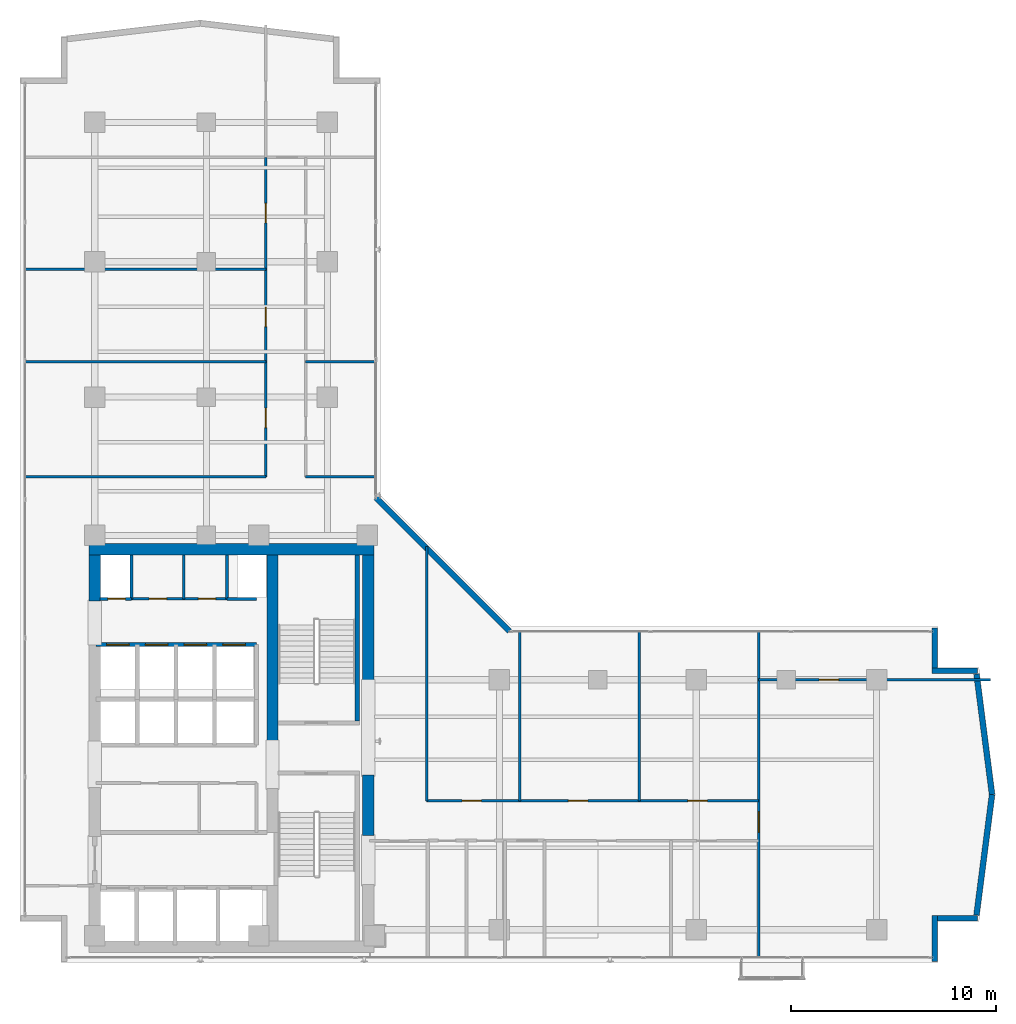
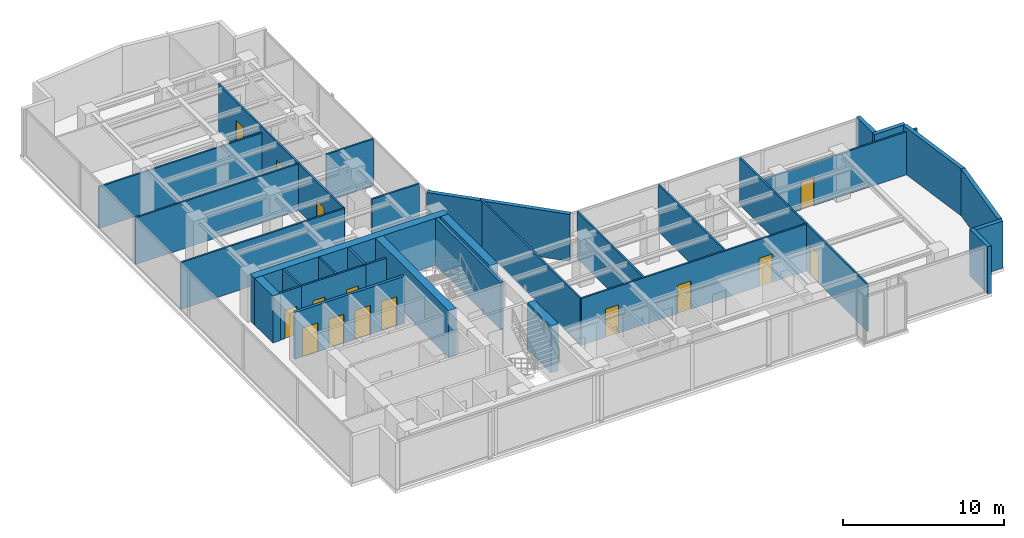
# One storey, part 17 of 23: 32 walls, 15 doors, 15 openings.
"""IFC4 building model written with IfcOpenShell, lengths in metres."""

from ifc_helpers import new_model, si_unit, direction, frame, frame_2d, origin, place, context, subcontext, project, spatial, rectangle, extrude, material, layer, layer_set, type_object, element, fill, save


model = new_model("IFC4")

# Units and contexts
model_context = context("Model", 3, precision=1e-05, world=origin(), true_north=direction((0.0, 1.0)))
body_context = subcontext(model_context, "Body", "Model", "MODEL_VIEW")
ifc_project = project(units=[si_unit("LENGTHUNIT", "METRE"), si_unit("AREAUNIT", "SQUARE_METRE"), si_unit("VOLUMEUNIT", "CUBIC_METRE"), si_unit("PLANEANGLEUNIT", "RADIAN"), si_unit("MASSUNIT", "GRAM", prefix="KILO")], contexts=[model_context])

# Site, building, storey
site_placement = place(None, origin())
site = spatial("IfcSite", under=ifc_project, at=site_placement, CompositionType="ELEMENT")
building_placement = place(site_placement, origin())
building = spatial("IfcBuilding", under=site, at=building_placement, Name="Kolvaren Waterfront Exchange", CompositionType="ELEMENT")
storey_placement = place(building_placement, frame((0.0, 0.0, 227.300048828125)))
storey = spatial("IfcBuildingStorey", under=building, at=storey_placement, Name="L58", CompositionType="ELEMENT", Elevation=227.300048828125)

# Walls
ifc_material_1 = material(Name="Precast concrete C40/50", Category="concrete")
ifc_layer_1 = layer(ifc_material_1, 0.280029296875, Name="Precast concrete C40/50")
ifc_layer_set_1 = layer_set([ifc_layer_1], Name="Precast concrete C40/50")
wall_type_1 = type_object("IfcWallType", Name="ARC-EXT-TERR-280", PredefinedType="SOLIDWALL", material=ifc_layer_set_1)
wall_1_placement = place(storey_placement, frame((48.43994140625, 3.659912109375, 0.0), z_axis=(0.0, 0.0, 1.0), x_axis=(0.0, 1.0, 0.0)))
element("IfcWall", 1, at=wall_1_placement, inside=storey, type_object=wall_type_1, Name="L58 notched corner spandrel pier SE-A", PredefinedType="SOLIDWALL", context=body_context, shape_type="SweptSolid", body=[
    extrude(rectangle(XDim=2.239990234375, YDim=0.280029296875, at=frame_2d((1.1201171875, 0.0))), origin(), (0.0, 0.0, 1.0), 3.56005859375),
])
wall_2_placement = place(storey_placement, frame((48.580078125, 5.760009765625, 0.0), z_axis=(0.0, 0.0, 1.0), x_axis=(1.0, 0.0, 0.0)))
element("IfcWall", 2, at=wall_2_placement, inside=storey, type_object=wall_type_1, Name="L58 notched corner spandrel pier SE-B", PredefinedType="SOLIDWALL", context=body_context, shape_type="SweptSolid", body=[
    extrude(rectangle(XDim=1.9599609375, YDim=0.280029296875, at=frame_2d((0.97998046875, 0.0))), origin(), (0.0, 0.0, 1.0), 3.56005859375),
])
wall_3_placement = place(storey_placement, frame((48.43994140625, 17.965087890625, 0.0), z_axis=(0.0, 0.0, 1.0), x_axis=(0.0, 1.0, 0.0)))
element("IfcWall", 3, at=wall_3_placement, inside=storey, type_object=wall_type_1, Name="L58 notched corner spandrel pier ENE-A", PredefinedType="SOLIDWALL", context=body_context, shape_type="SweptSolid", body=[
    extrude(rectangle(XDim=1.974853515625, YDim=0.280029296875, at=frame_2d((0.9873046875, 0.0))), origin(), (0.0, 0.0, 1.0), 3.56005859375),
])
wall_4_placement = place(storey_placement, frame((48.300048828125, 17.840087890625, 0.0), z_axis=(0.0, 0.0, 1.0), x_axis=(1.0, 0.0, 0.0)))
element("IfcWall", 4, at=wall_4_placement, inside=storey, type_object=wall_type_1, Name="L58 notched corner spandrel pier ENE-B", PredefinedType="SOLIDWALL", context=body_context, shape_type="SweptSolid", body=[
    extrude(rectangle(XDim=2.239990234375, YDim=0.280029296875, at=frame_2d((1.1201171875, 0.0))), origin(), (0.0, 0.0, 1.0), 3.56005859375),
])
wall_5_placement = place(storey_placement, frame((27.68505859375, 19.77490234375, 0.0), z_axis=(0.0, 0.0, 1.0), x_axis=(-0.707106781187, 0.707106781187, 0.0)))
element("IfcWall", 5, at=wall_5_placement, inside=storey, type_object=wall_type_1, Name="L58 notched corner spandrel pier ELBOW", PredefinedType="SOLIDWALL", context=body_context, shape_type="SweptSolid", body=[
    extrude(rectangle(XDim=9.20654296875, YDim=0.280029296875, at=frame_2d((4.603271484375, 0.0))), origin(), (0.0, 0.0, 1.0), 3.56005859375),
])
for number, where, z_axis, x_axis, name in (
    (6, (50.479736328125, 5.91796875, 0.0), (0.0, 0.0, 1.0), (0.127970031595, 0.991778035154, 0.0), "L58 east prow faceted facade wall 1"),
    (7, (51.23876953125, 11.79931640625, 0.0), (0.0, 0.0, 1.0), (-0.127970031595, 0.991778035154, 0.0), "L58 east prow faceted facade wall 2"),
):
    element("IfcWall", number, at=place(storey_placement, frame(where, z_axis=z_axis, x_axis=x_axis)), inside=storey, type_object=wall_type_1, Name=name, PredefinedType="SOLIDWALL", context=body_context, shape_type="SweptSolid", body=[
        extrude(rectangle(XDim=5.931396484375, YDim=0.280029296875, at=frame_2d((2.9658203125, 0.0))), origin(), (0.0, 0.0, 1.0), 3.56005859375),
    ])

# Wall, openings, doors
ifc_material_2 = material(Name="Acoustic gypsum steel stud", Category="steel")
ifc_layer_2 = layer(ifc_material_2, 0.125, Name="Acoustic gypsum steel stud")
ifc_layer_set_2 = layer_set([ifc_layer_2], Name="Acoustic gypsum steel stud")
wall_type_2 = type_object("IfcWallType", Name="ARC-PART-125", PredefinedType="PARTITIONING", material=ifc_layer_set_2)
wall_6_placement = place(storey_placement, frame((9.25, 21.35009765625, 0.0), z_axis=(0.0, 0.0, 1.0), x_axis=(1.0, 0.0, 0.0)))
wall_6 = element("IfcWall", 8, at=wall_6_placement, inside=storey, type_object=wall_type_2, Name="L58 interior wall PW-L58-SVC-HI-S", PredefinedType="PARTITIONING", context=body_context, shape_type="SweptSolid", body=[
    extrude(rectangle(XDim=4.64990234375, YDim=0.125, at=frame_2d((2.324951171875, 0.0))), origin(), (0.0, 0.0, 1.0), 3.56005859375),
])
opening_1_placement = place(wall_6_placement, frame((0.85009765625, 0.0, 0.0)))
opening_1 = element("IfcOpeningElement", 9, at=opening_1_placement, cuts=wall_6, Name="Opening D01", PredefinedType="OPENING", context=body_context, shape_type="SweptSolid", body=[
    extrude(rectangle(XDim=0.85009765625, YDim=2.14990234375, at=frame_2d((0.425048828125, 1.074951171875))), frame((0.0, 0.072509765625, 0.0), z_axis=(0.0, -1.0, 0.0), x_axis=(1.0, 0.0, 0.0)), (0.0, 0.0, 1.0), 0.14501953125),
])
opening_2_placement = place(wall_6_placement, frame((3.25, 0.0, 0.0)))
opening_2 = element("IfcOpeningElement", 10, at=opening_2_placement, cuts=wall_6, Name="Opening D01", PredefinedType="OPENING", context=body_context, shape_type="SweptSolid", body=[
    extrude(rectangle(XDim=0.85009765625, YDim=2.14990234375, at=frame_2d((0.425048828125, 1.074951171875))), frame((0.0, 0.072509765625, 0.0), z_axis=(0.0, -1.0, 0.0), x_axis=(1.0, 0.0, 0.0)), (0.0, 0.0, 1.0), 0.14501953125),
])
ifc_material_3 = material(Name="Oak veneer timber leaf", Category="wood")
door_type_1 = type_object("IfcDoorType", Name="ARC-DR-900", OperationType="NOTDEFINED", PredefinedType="DOOR", material=ifc_material_3)
door_1_placement = place(opening_1_placement, origin())
door_1 = element("IfcDoor", 11, at=door_1_placement, inside=storey, type_object=door_type_1, Name="L58 door DR-L58-SVC-DR-1 (D01)", OperationType="SINGLE_SWING_RIGHT", OverallHeight=2.14990234375, OverallWidth=0.85009765625, PredefinedType="DOOR", context=body_context, shape_type="SweptSolid", body=[
    extrude(rectangle(XDim=0.85009765625, YDim=2.14990234375, at=frame_2d((0.425048828125, 1.074951171875))), frame((0.0, 0.02490234375, 0.0), z_axis=(0.0, -1.0, 0.0), x_axis=(1.0, 0.0, 0.0)), (0.0, 0.0, 1.0), 0.050048828125),
])
fill(opening_1, door_1)
door_2_placement = place(opening_2_placement, origin())
door_2 = element("IfcDoor", 12, at=door_2_placement, inside=storey, type_object=door_type_1, Name="L58 door DR-L58-SVC-DR-2 (D01)", OperationType="SINGLE_SWING_LEFT", OverallHeight=2.14990234375, OverallWidth=0.85009765625, PredefinedType="DOOR", context=body_context, shape_type="SweptSolid", body=[
    extrude(rectangle(XDim=0.85009765625, YDim=2.14990234375, at=frame_2d((0.425048828125, 1.074951171875))), frame((0.0, 0.02490234375, 0.0), z_axis=(0.0, -1.0, 0.0), x_axis=(1.0, 0.0, 0.0)), (0.0, 0.0, 1.0), 0.050048828125),
])
fill(opening_2, door_2)

# Wall
wall_7_placement = place(storey_placement, frame((11.800048828125, 21.35009765625, 0.0), z_axis=(0.0, 0.0, 1.0), x_axis=(0.0, 1.0, 0.0)))
element("IfcWall", 13, at=wall_7_placement, inside=storey, type_object=wall_type_2, Name="L58 interior wall PW-L58-SVC-HI-M", PredefinedType="PARTITIONING", context=body_context, shape_type="SweptSolid", body=[
    extrude(rectangle(XDim=2.1298828125, YDim=0.125, at=frame_2d((1.06494140625, 0.0))), origin(), (0.0, 0.0, 1.0), 3.56005859375),
])

# Wall, opening, door
wall_8_placement = place(storey_placement, frame((39.85009765625, 3.840087890625, 0.0), z_axis=(0.0, 0.0, 1.0), x_axis=(0.0, 1.0, 0.0)))
wall_8 = element("IfcWall", 14, at=wall_8_placement, inside=storey, type_object=wall_type_2, Name="L58 interior wall PW-L58-ETIP-W", PredefinedType="PARTITIONING", context=body_context, shape_type="SweptSolid", body=[
    extrude(rectangle(XDim=15.919921875, YDim=0.125, at=frame_2d((7.9599609375, 0.0))), origin(), (0.0, 0.0, 1.0), 3.56005859375),
])
opening_3_placement = place(wall_8_placement, frame((6.110107421875, 0.0, 0.0)))
opening_3 = element("IfcOpeningElement", 15, at=opening_3_placement, cuts=wall_8, Name="Opening D03", PredefinedType="OPENING", context=body_context, shape_type="SweptSolid", body=[
    extrude(rectangle(XDim=1.0, YDim=2.199951171875, at=frame_2d((0.5, 1.10009765625))), frame((0.0, 0.072509765625, 0.0), z_axis=(0.0, -1.0, 0.0), x_axis=(1.0, 0.0, 0.0)), (0.0, 0.0, 1.0), 0.14501953125),
])
ifc_material_4 = material(Name="Oak veneer accessible timber", Category="wood")
door_type_2 = type_object("IfcDoorType", Name="ARC-DR-1000", OperationType="NOTDEFINED", PredefinedType="DOOR", material=ifc_material_4)
door_3_placement = place(opening_3_placement, origin())
door_3 = element("IfcDoor", 16, at=door_3_placement, inside=storey, type_object=door_type_2, Name="L58 door DR-L58-ETIP1-D (D03)", OperationType="SINGLE_SWING_LEFT", OverallHeight=2.199951171875, OverallWidth=1.0, PredefinedType="DOOR", context=body_context, shape_type="SweptSolid", body=[
    extrude(rectangle(XDim=1.0, YDim=2.199951171875, at=frame_2d((0.5, 1.10009765625))), frame((0.0, 0.02490234375, 0.0), z_axis=(0.0, -1.0, 0.0), x_axis=(1.0, 0.0, 0.0)), (0.0, 0.0, 1.0), 0.050048828125),
])
fill(opening_3, door_3)

wall_9_placement = place(storey_placement, frame((39.85009765625, 17.39990234375, 0.0), z_axis=(0.0, 0.0, 1.0), x_axis=(1.0, 0.0, 0.0)))
wall_9 = element("IfcWall", 17, at=wall_9_placement, inside=storey, type_object=wall_type_2, Name="L58 interior wall PW-L58-ETIP-MID", PredefinedType="PARTITIONING", context=body_context, shape_type="SweptSolid", body=[
    extrude(rectangle(XDim=11.309814453125, YDim=0.125, at=frame_2d((5.65478515625, 0.0))), origin(), (0.0, 0.0, 1.0), 3.260009765625),
])
opening_4_placement = place(wall_9_placement, frame((2.949951171875, 0.0, 0.0)))
opening_4 = element("IfcOpeningElement", 18, at=opening_4_placement, cuts=wall_9, Name="Opening D02", PredefinedType="OPENING", context=body_context, shape_type="SweptSolid", body=[
    extrude(rectangle(XDim=0.949951171875, YDim=2.14990234375, at=frame_2d((0.47509765625, 1.074951171875))), frame((0.0, 0.072509765625, 0.0), z_axis=(0.0, -1.0, 0.0), x_axis=(1.0, 0.0, 0.0)), (0.0, 0.0, 1.0), 0.14501953125),
])
ifc_material_5 = material(Name="Oak veneer acoustic timber", Category="wood")
door_type_3 = type_object("IfcDoorType", Name="ARC-DR-950", OperationType="NOTDEFINED", PredefinedType="DOOR", material=ifc_material_5)
door_4_placement = place(opening_4_placement, origin())
door_4 = element("IfcDoor", 19, at=door_4_placement, inside=storey, type_object=door_type_3, Name="L58 door DR-L58-ETIP2-D (D02)", OperationType="SINGLE_SWING_RIGHT", OverallHeight=2.14990234375, OverallWidth=0.949951171875, PredefinedType="DOOR", context=body_context, shape_type="SweptSolid", body=[
    extrude(rectangle(XDim=0.949951171875, YDim=2.14990234375, at=frame_2d((0.47509765625, 1.074951171875))), frame((0.0, 0.02490234375, 0.0), z_axis=(0.0, -1.0, 0.0), x_axis=(1.0, 0.0, 0.0)), (0.0, 0.0, 1.0), 0.050048828125),
])
fill(opening_4, door_4)

# Wall
wall_10_placement = place(storey_placement, frame((23.64990234375, 11.489990234375, 0.0), z_axis=(0.0, 0.0, 1.0), x_axis=(0.0, 1.0, 0.0)))
element("IfcWall", 20, at=wall_10_placement, inside=storey, type_object=wall_type_2, Name="L58 interior wall PW-L58-EN-W0", PredefinedType="PARTITIONING", context=body_context, shape_type="SweptSolid", body=[
    extrude(rectangle(XDim=12.419921875, YDim=0.125, at=frame_2d((6.2099609375, 0.0))), origin(), (0.0, 0.0, 1.0), 3.56005859375),
])

# Wall, openings, doors
wall_11_placement = place(storey_placement, frame((23.64990234375, 11.489990234375, 0.0), z_axis=(0.0, 0.0, 1.0), x_axis=(1.0, 0.0, 0.0)))
wall_11 = element("IfcWall", 21, at=wall_11_placement, inside=storey, type_object=wall_type_2, Name="L58 interior wall PW-L58-EN-CORR", PredefinedType="PARTITIONING", context=body_context, shape_type="SweptSolid", body=[
    extrude(rectangle(XDim=16.2001953125, YDim=0.125, at=frame_2d((8.10009765625, 0.0))), origin(), (0.0, 0.0, 1.0), 3.56005859375),
])
opening_5_placement = place(wall_11_placement, frame((1.7216796875, 0.0, 0.0)))
opening_5 = element("IfcOpeningElement", 22, at=opening_5_placement, cuts=wall_11, Name="Opening D02", PredefinedType="OPENING", context=body_context, shape_type="SweptSolid", body=[
    extrude(rectangle(XDim=0.949951171875, YDim=2.14990234375, at=frame_2d((0.47509765625, 1.074951171875))), frame((0.0, 0.072509765625, 0.0), z_axis=(0.0, -1.0, 0.0), x_axis=(1.0, 0.0, 0.0)), (0.0, 0.0, 1.0), 0.14501953125),
])
opening_6_placement = place(wall_11_placement, frame((6.90966796875, 0.0, 0.0)))
opening_6 = element("IfcOpeningElement", 23, at=opening_6_placement, cuts=wall_11, Name="Opening D02", PredefinedType="OPENING", context=body_context, shape_type="SweptSolid", body=[
    extrude(rectangle(XDim=0.949951171875, YDim=2.14990234375, at=frame_2d((0.47509765625, 1.074951171875))), frame((0.0, 0.072509765625, 0.0), z_axis=(0.0, -1.0, 0.0), x_axis=(1.0, 0.0, 0.0)), (0.0, 0.0, 1.0), 0.14501953125),
])
opening_7_placement = place(wall_11_placement, frame((12.73974609375, 0.0, 0.0)))
opening_7 = element("IfcOpeningElement", 24, at=opening_7_placement, cuts=wall_11, Name="Opening D02", PredefinedType="OPENING", context=body_context, shape_type="SweptSolid", body=[
    extrude(rectangle(XDim=0.949951171875, YDim=2.14990234375, at=frame_2d((0.47509765625, 1.074951171875))), frame((0.0, 0.072509765625, 0.0), z_axis=(0.0, -1.0, 0.0), x_axis=(1.0, 0.0, 0.0)), (0.0, 0.0, 1.0), 0.14501953125),
])
door_5_placement = place(opening_5_placement, origin())
door_5 = element("IfcDoor", 25, at=door_5_placement, inside=storey, type_object=door_type_3, Name="L58 door DR-L58-EN-D-1 (D02)", OperationType="SINGLE_SWING_LEFT", OverallHeight=2.14990234375, OverallWidth=0.949951171875, PredefinedType="DOOR", context=body_context, shape_type="SweptSolid", body=[
    extrude(rectangle(XDim=0.949951171875, YDim=2.14990234375, at=frame_2d((0.47509765625, 1.074951171875))), frame((0.0, 0.02490234375, 0.0), z_axis=(0.0, -1.0, 0.0), x_axis=(1.0, 0.0, 0.0)), (0.0, 0.0, 1.0), 0.050048828125),
])
fill(opening_5, door_5)
door_6_placement = place(opening_6_placement, origin())
door_6 = element("IfcDoor", 26, at=door_6_placement, inside=storey, type_object=door_type_3, Name="L58 door DR-L58-EN-D-2 (D02)", OperationType="SINGLE_SWING_RIGHT", OverallHeight=2.14990234375, OverallWidth=0.949951171875, PredefinedType="DOOR", context=body_context, shape_type="SweptSolid", body=[
    extrude(rectangle(XDim=0.949951171875, YDim=2.14990234375, at=frame_2d((0.47509765625, 1.074951171875))), frame((0.0, 0.02490234375, 0.0), z_axis=(0.0, -1.0, 0.0), x_axis=(1.0, 0.0, 0.0)), (0.0, 0.0, 1.0), 0.050048828125),
])
fill(opening_6, door_6)
door_7_placement = place(opening_7_placement, origin())
door_7 = element("IfcDoor", 27, at=door_7_placement, inside=storey, type_object=door_type_3, Name="L58 door DR-L58-EN-D-3 (D02)", OperationType="SINGLE_SWING_LEFT", OverallHeight=2.14990234375, OverallWidth=0.949951171875, PredefinedType="DOOR", context=body_context, shape_type="SweptSolid", body=[
    extrude(rectangle(XDim=0.949951171875, YDim=2.14990234375, at=frame_2d((0.47509765625, 1.074951171875))), frame((0.0, 0.02490234375, 0.0), z_axis=(0.0, -1.0, 0.0), x_axis=(1.0, 0.0, 0.0)), (0.0, 0.0, 1.0), 0.050048828125),
])
fill(opening_7, door_7)

# Walls
for number, where, z_axis, x_axis, name in (
    (28, (28.18994140625, 11.489990234375, 0.0), (0.0, 0.0, 1.0), (0.0, 1.0, 0.0), "L58 interior wall PW-L58-EN-DIV-1"),
    (29, (34.02001953125, 11.489990234375, 0.0), (0.0, 0.0, 1.0), (0.0, 1.0, 0.0), "L58 interior wall PW-L58-EN-DIV-2"),
):
    element("IfcWall", number, at=place(storey_placement, frame(where, z_axis=z_axis, x_axis=x_axis)), inside=storey, type_object=wall_type_2, Name=name, PredefinedType="PARTITIONING", context=body_context, shape_type="SweptSolid", body=[
        extrude(rectangle(XDim=8.27001953125, YDim=0.125, at=frame_2d((4.135009765625, 0.0))), origin(), (0.0, 0.0, 1.0), 3.56005859375),
    ])
wall_12_placement = place(storey_placement, frame((4.0400390625, 27.300048828125, 0.0), z_axis=(0.0, 0.0, 1.0), x_axis=(1.0, 0.0, 0.0)))
element("IfcWall", 30, at=wall_12_placement, inside=storey, type_object=wall_type_2, Name="L58 interior wall PW-L58-NW-S0", PredefinedType="PARTITIONING", context=body_context, shape_type="SweptSolid", body=[
    extrude(rectangle(XDim=11.760009765625, YDim=0.125, at=frame_2d((5.8798828125, 0.0))), origin(), (0.0, 0.0, 1.0), 3.56005859375),
])

# Wall, openings, doors
wall_13_placement = place(storey_placement, frame((15.800048828125, 27.300048828125, 0.0), z_axis=(0.0, 0.0, 1.0), x_axis=(0.0, 1.0, 0.0)))
wall_13 = element("IfcWall", 31, at=wall_13_placement, inside=storey, type_object=wall_type_2, Name="L58 interior wall PW-L58-NW-CORR", PredefinedType="PARTITIONING", context=body_context, shape_type="SweptSolid", body=[
    extrude(rectangle(XDim=15.599853515625, YDim=0.125, at=frame_2d((7.7998046875, 0.0))), origin(), (0.0, 0.0, 1.0), 3.56005859375),
])
opening_8_placement = place(wall_13_placement, frame((2.40673828125, 0.0, 0.0)))
opening_8 = element("IfcOpeningElement", 32, at=opening_8_placement, cuts=wall_13, Name="Opening D02", PredefinedType="OPENING", context=body_context, shape_type="SweptSolid", body=[
    extrude(rectangle(XDim=0.949951171875, YDim=2.14990234375, at=frame_2d((0.47509765625, 1.074951171875))), frame((0.0, 0.072509765625, 0.0), z_axis=(0.0, -1.0, 0.0), x_axis=(1.0, 0.0, 0.0)), (0.0, 0.0, 1.0), 0.14501953125),
])
opening_9_placement = place(wall_13_placement, frame((7.33203125, 0.0, 0.0)))
opening_9 = element("IfcOpeningElement", 33, at=opening_9_placement, cuts=wall_13, Name="Opening D02", PredefinedType="OPENING", context=body_context, shape_type="SweptSolid", body=[
    extrude(rectangle(XDim=0.949951171875, YDim=2.14990234375, at=frame_2d((0.47509765625, 1.074951171875))), frame((0.0, 0.072509765625, 0.0), z_axis=(0.0, -1.0, 0.0), x_axis=(1.0, 0.0, 0.0)), (0.0, 0.0, 1.0), 0.14501953125),
])
opening_10_placement = place(wall_13_placement, frame((12.39501953125, 0.0, 0.0)))
opening_10 = element("IfcOpeningElement", 34, at=opening_10_placement, cuts=wall_13, Name="Opening D02", PredefinedType="OPENING", context=body_context, shape_type="SweptSolid", body=[
    extrude(rectangle(XDim=0.949951171875, YDim=2.14990234375, at=frame_2d((0.47509765625, 1.074951171875))), frame((0.0, 0.072509765625, 0.0), z_axis=(0.0, -1.0, 0.0), x_axis=(1.0, 0.0, 0.0)), (0.0, 0.0, 1.0), 0.14501953125),
])
door_8_placement = place(opening_8_placement, origin())
door_8 = element("IfcDoor", 35, at=door_8_placement, inside=storey, type_object=door_type_3, Name="L58 door DR-L58-NW-D-1 (D02)", OperationType="SINGLE_SWING_RIGHT", OverallHeight=2.14990234375, OverallWidth=0.949951171875, PredefinedType="DOOR", context=body_context, shape_type="SweptSolid", body=[
    extrude(rectangle(XDim=0.949951171875, YDim=2.14990234375, at=frame_2d((0.47509765625, 1.074951171875))), frame((0.0, 0.02490234375, 0.0), z_axis=(0.0, -1.0, 0.0), x_axis=(1.0, 0.0, 0.0)), (0.0, 0.0, 1.0), 0.050048828125),
])
fill(opening_8, door_8)
door_9_placement = place(opening_9_placement, origin())
door_9 = element("IfcDoor", 36, at=door_9_placement, inside=storey, type_object=door_type_3, Name="L58 door DR-L58-NW-D-2 (D02)", OperationType="SINGLE_SWING_LEFT", OverallHeight=2.14990234375, OverallWidth=0.949951171875, PredefinedType="DOOR", context=body_context, shape_type="SweptSolid", body=[
    extrude(rectangle(XDim=0.949951171875, YDim=2.14990234375, at=frame_2d((0.47509765625, 1.074951171875))), frame((0.0, 0.02490234375, 0.0), z_axis=(0.0, -1.0, 0.0), x_axis=(1.0, 0.0, 0.0)), (0.0, 0.0, 1.0), 0.050048828125),
])
fill(opening_9, door_9)
door_10_placement = place(opening_10_placement, origin())
door_10 = element("IfcDoor", 37, at=door_10_placement, inside=storey, type_object=door_type_3, Name="L58 door DR-L58-NW-D-3 (D02)", OperationType="SINGLE_SWING_RIGHT", OverallHeight=2.14990234375, OverallWidth=0.949951171875, PredefinedType="DOOR", context=body_context, shape_type="SweptSolid", body=[
    extrude(rectangle(XDim=0.949951171875, YDim=2.14990234375, at=frame_2d((0.47509765625, 1.074951171875))), frame((0.0, 0.02490234375, 0.0), z_axis=(0.0, -1.0, 0.0), x_axis=(1.0, 0.0, 0.0)), (0.0, 0.0, 1.0), 0.050048828125),
])
fill(opening_10, door_10)

# Walls
wall_14_placement = place(storey_placement, frame((4.0400390625, 32.919921875, 0.0), z_axis=(0.0, 0.0, 1.0), x_axis=(1.0, 0.0, 0.0)))
element("IfcWall", 38, at=wall_14_placement, inside=storey, type_object=wall_type_2, Name="L58 interior wall PW-L58-NW-DIV-1", PredefinedType="PARTITIONING", context=body_context, shape_type="SweptSolid", body=[
    extrude(rectangle(XDim=11.760009765625, YDim=0.125, at=frame_2d((5.8798828125, 0.0))), origin(), (0.0, 0.0, 1.0), 3.56005859375),
])
wall_15_placement = place(storey_placement, frame((4.0400390625, 37.43994140625, 0.0), z_axis=(0.0, 0.0, 1.0), x_axis=(1.0, 0.0, 0.0)))
element("IfcWall", 39, at=wall_15_placement, inside=storey, type_object=wall_type_2, Name="L58 interior wall PW-L58-NW-DIV-2", PredefinedType="PARTITIONING", context=body_context, shape_type="SweptSolid", body=[
    extrude(rectangle(XDim=11.760009765625, YDim=0.125, at=frame_2d((5.8798828125, 0.0))), origin(), (0.0, 0.0, 1.0), 3.159912109375),
])
for number, where, z_axis, x_axis, name in (
    (40, (17.739990234375, 27.300048828125, 0.0), (0.0, 0.0, 1.0), (1.0, 0.0, 0.0), "L58 interior wall PW-L58-NE-S0"),
    (41, (17.739990234375, 32.919921875, 0.0), (0.0, 0.0, 1.0), (1.0, 0.0, 0.0), "L58 interior wall PW-L58-NE-DIV-1"),
):
    element("IfcWall", number, at=place(storey_placement, frame(where, z_axis=z_axis, x_axis=x_axis)), inside=storey, type_object=wall_type_2, Name=name, PredefinedType="PARTITIONING", context=body_context, shape_type="SweptSolid", body=[
        extrude(rectangle(XDim=3.419921875, YDim=0.125, at=frame_2d((1.7099609375, 0.0))), origin(), (0.0, 0.0, 1.0), 3.56005859375),
    ])
ifc_material_6 = material(Name="Gypsum fireboard steel stud", Category="steel")
ifc_layer_3 = layer(ifc_material_6, 0.14990234375, Name="Gypsum fireboard steel stud")
ifc_layer_set_3 = layer_set([ifc_layer_3], Name="Gypsum fireboard steel stud")
wall_type_3 = type_object("IfcWallType", Name="ARC-PART-150", PredefinedType="PARTITIONING", material=ifc_layer_set_3)
for number, where, z_axis, x_axis, name in (
    (42, (9.25, 21.35009765625, 0.0), (0.0, 0.0, 1.0), (0.0, 1.0, 0.0), "L58 interior wall PW-L58-SVC-R1"),
    (43, (13.89990234375, 21.35009765625, 0.0), (0.0, 0.0, 1.0), (0.0, 1.0, 0.0), "L58 interior wall PW-L58-SVC-R2"),
):
    element("IfcWall", number, at=place(storey_placement, frame(where, z_axis=z_axis, x_axis=x_axis)), inside=storey, type_object=wall_type_3, Name=name, PredefinedType="PARTITIONING", context=body_context, shape_type="SweptSolid", body=[
        extrude(rectangle(XDim=2.1298828125, YDim=0.14990234375, at=frame_2d((1.06494140625, 0.0))), origin(), (0.0, 0.0, 1.0), 3.56005859375),
    ])

# Wall, opening, door
wall_16_placement = place(storey_placement, frame((7.699951171875, 21.35009765625, 0.0), z_axis=(0.0, 0.0, 1.0), x_axis=(1.0, 0.0, 0.0)))
wall_16 = element("IfcWall", 44, at=wall_16_placement, inside=storey, type_object=wall_type_3, Name="L58 interior wall PW-L58-SVC-RE-S", PredefinedType="PARTITIONING", context=body_context, shape_type="SweptSolid", body=[
    extrude(rectangle(XDim=1.550048828125, YDim=0.14990234375, at=frame_2d((0.77490234375, 0.0))), origin(), (0.0, 0.0, 1.0), 3.56005859375),
])
opening_11_placement = place(wall_16_placement, frame((0.389892578125, 0.0, 0.0)))
opening_11 = element("IfcOpeningElement", 45, at=opening_11_placement, cuts=wall_16, Name="Opening FD1", PredefinedType="OPENING", context=body_context, shape_type="SweptSolid", body=[
    extrude(rectangle(XDim=0.85009765625, YDim=2.14990234375, at=frame_2d((0.425048828125, 1.074951171875))), frame((0.0, 0.0849609375, 0.0), z_axis=(0.0, -1.0, 0.0), x_axis=(1.0, 0.0, 0.0)), (0.0, 0.0, 1.0), 0.169921875),
])
ifc_material_7 = material(Name="Pressed steel fire leaf", Category="steel")
door_type_4 = type_object("IfcDoorType", Name="ARC-FD-900", OperationType="NOTDEFINED", PredefinedType="DOOR", material=ifc_material_7)
door_11_placement = place(opening_11_placement, origin())
door_11 = element("IfcDoor", 46, at=door_11_placement, inside=storey, type_object=door_type_4, Name="L58 door DR-L58-RISER-E-DR (FD1)", OperationType="SINGLE_SWING_LEFT", OverallHeight=2.14990234375, OverallWidth=0.85009765625, PredefinedType="DOOR", context=body_context, shape_type="SweptSolid", body=[
    extrude(rectangle(XDim=0.85009765625, YDim=2.14990234375, at=frame_2d((0.425048828125, 1.074951171875))), frame((0.0, 0.02490234375, 0.0), z_axis=(0.0, -1.0, 0.0), x_axis=(1.0, 0.0, 0.0)), (0.0, 0.0, 1.0), 0.050048828125),
])
fill(opening_11, door_11)

# Walls
wall_17_placement = place(storey_placement, frame((13.89990234375, 21.35009765625, 0.0), z_axis=(0.0, 0.0, 1.0), x_axis=(1.0, 0.0, 0.0)))
element("IfcWall", 47, at=wall_17_placement, inside=storey, type_object=wall_type_3, Name="L58 interior wall PW-L58-SVC-RP-S", PredefinedType="PARTITIONING", context=body_context, shape_type="SweptSolid", body=[
    extrude(rectangle(XDim=1.4501953125, YDim=0.14990234375, at=frame_2d((0.72509765625, 0.0))), origin(), (0.0, 0.0, 1.0), 3.56005859375),
])
ifc_material_8 = material(Name="Concrete C40/50", Category="concrete")
ifc_layer_4 = layer(ifc_material_8, 0.199951171875, Name="Concrete C40/50")
ifc_layer_set_4 = layer_set([ifc_layer_4], Name="Concrete C40/50")
wall_type_4 = type_object("IfcWallType", Name="ARC-SHAFT-200", PredefinedType="PARTITIONING", material=ifc_layer_set_4)
wall_18_placement = place(storey_placement, frame((20.260009765625, 15.39990234375, 0.0), z_axis=(0.0, 0.0, 1.0), x_axis=(0.0, 1.0, 0.0)))
element("IfcWall", 48, at=wall_18_placement, inside=storey, type_object=wall_type_4, Name="L58 structural stairwell wall PW-L58-ST2-E", PredefinedType="SHEAR", context=body_context, shape_type="SweptSolid", body=[
    extrude(rectangle(XDim=8.090087890625, YDim=0.199951171875, at=frame_2d((4.044921875, 0.0))), origin(), (0.0, 0.0, 1.0), 3.56005859375),
])

# Wall, openings, doors
wall_19_placement = place(storey_placement, frame((7.5, 19.1201171875, 0.0), z_axis=(0.0, 0.0, 1.0), x_axis=(1.0, 0.0, 0.0)))
wall_19 = element("IfcWall", 49, at=wall_19_placement, inside=storey, type_object=wall_type_4, Name="L58 interior wall PW-L58-PH-N", PredefinedType="PARTITIONING", context=body_context, shape_type="SweptSolid", body=[
    extrude(rectangle(XDim=7.85009765625, YDim=0.199951171875, at=frame_2d((3.925048828125, 0.0))), origin(), (0.0, 0.0, 1.0), 3.56005859375),
])
opening_12_placement = place(wall_19_placement, frame((0.530029296875, 0.0, 0.0)))
opening_12 = element("IfcOpeningElement", 50, at=opening_12_placement, cuts=wall_19, Name="Opening LD2", PredefinedType="OPENING", context=body_context, shape_type="SweptSolid", body=[
    extrude(rectangle(XDim=1.10009765625, YDim=2.199951171875, at=frame_2d((0.550048828125, 1.10009765625))), frame((0.0, 0.10986328125, 0.0), z_axis=(0.0, -1.0, 0.0), x_axis=(1.0, 0.0, 0.0)), (0.0, 0.0, 1.0), 0.219970703125),
])
opening_13_placement = place(wall_19_placement, frame((2.419921875, 0.0, 0.0)))
opening_13 = element("IfcOpeningElement", 51, at=opening_13_placement, cuts=wall_19, Name="Opening LD2", PredefinedType="OPENING", context=body_context, shape_type="SweptSolid", body=[
    extrude(rectangle(XDim=1.10009765625, YDim=2.199951171875, at=frame_2d((0.550048828125, 1.10009765625))), frame((0.0, 0.10986328125, 0.0), z_axis=(0.0, -1.0, 0.0), x_axis=(1.0, 0.0, 0.0)), (0.0, 0.0, 1.0), 0.219970703125),
])
opening_14_placement = place(wall_19_placement, frame((4.31005859375, 0.0, 0.0)))
opening_14 = element("IfcOpeningElement", 52, at=opening_14_placement, cuts=wall_19, Name="Opening LD2", PredefinedType="OPENING", context=body_context, shape_type="SweptSolid", body=[
    extrude(rectangle(XDim=1.10009765625, YDim=2.199951171875, at=frame_2d((0.550048828125, 1.10009765625))), frame((0.0, 0.10986328125, 0.0), z_axis=(0.0, -1.0, 0.0), x_axis=(1.0, 0.0, 0.0)), (0.0, 0.0, 1.0), 0.219970703125),
])
opening_15_placement = place(wall_19_placement, frame((6.199951171875, 0.0, 0.0)))
opening_15 = element("IfcOpeningElement", 53, at=opening_15_placement, cuts=wall_19, Name="Opening LD2", PredefinedType="OPENING", context=body_context, shape_type="SweptSolid", body=[
    extrude(rectangle(XDim=1.10009765625, YDim=2.199951171875, at=frame_2d((0.550048828125, 1.10009765625))), frame((0.0, 0.10986328125, 0.0), z_axis=(0.0, -1.0, 0.0), x_axis=(1.0, 0.0, 0.0)), (0.0, 0.0, 1.0), 0.219970703125),
])
ifc_material_9 = material(Name="Brushed bronze sliding landing door", Category="aluminium")
door_type_5 = type_object("IfcDoorType", Name="ARC-LD-PAX", OperationType="SLIDING_TO_LEFT", PredefinedType="DOOR", material=ifc_material_9)
door_12_placement = place(opening_12_placement, origin())
door_12 = element("IfcDoor", 54, at=door_12_placement, inside=storey, type_object=door_type_5, Name="L58 door LD-L58-PH1 (LD2)", OperationType="SLIDING_TO_LEFT", OverallHeight=2.199951171875, OverallWidth=1.10009765625, PredefinedType="DOOR", context=body_context, shape_type="SweptSolid", body=[
    extrude(rectangle(XDim=1.10009765625, YDim=2.199951171875, at=frame_2d((0.550048828125, 1.10009765625))), frame((0.0, 0.02490234375, 0.0), z_axis=(0.0, -1.0, 0.0), x_axis=(1.0, 0.0, 0.0)), (0.0, 0.0, 1.0), 0.050048828125),
])
fill(opening_12, door_12)
door_13_placement = place(opening_13_placement, origin())
door_13 = element("IfcDoor", 55, at=door_13_placement, inside=storey, type_object=door_type_5, Name="L58 door LD-L58-PH2 (LD2)", OperationType="SLIDING_TO_LEFT", OverallHeight=2.199951171875, OverallWidth=1.10009765625, PredefinedType="DOOR", context=body_context, shape_type="SweptSolid", body=[
    extrude(rectangle(XDim=1.10009765625, YDim=2.199951171875, at=frame_2d((0.550048828125, 1.10009765625))), frame((0.0, 0.02490234375, 0.0), z_axis=(0.0, -1.0, 0.0), x_axis=(1.0, 0.0, 0.0)), (0.0, 0.0, 1.0), 0.050048828125),
])
fill(opening_13, door_13)
door_14_placement = place(opening_14_placement, origin())
door_14 = element("IfcDoor", 56, at=door_14_placement, inside=storey, type_object=door_type_5, Name="L58 door LD-L58-PH3 (LD2)", OperationType="SLIDING_TO_LEFT", OverallHeight=2.199951171875, OverallWidth=1.10009765625, PredefinedType="DOOR", context=body_context, shape_type="SweptSolid", body=[
    extrude(rectangle(XDim=1.10009765625, YDim=2.199951171875, at=frame_2d((0.550048828125, 1.10009765625))), frame((0.0, 0.02490234375, 0.0), z_axis=(0.0, -1.0, 0.0), x_axis=(1.0, 0.0, 0.0)), (0.0, 0.0, 1.0), 0.050048828125),
])
fill(opening_14, door_14)
door_15_placement = place(opening_15_placement, origin())
door_15 = element("IfcDoor", 57, at=door_15_placement, inside=storey, type_object=door_type_5, Name="L58 door LD-L58-PH4 (LD2)", OperationType="SLIDING_TO_LEFT", OverallHeight=2.199951171875, OverallWidth=1.10009765625, PredefinedType="DOOR", context=body_context, shape_type="SweptSolid", body=[
    extrude(rectangle(XDim=1.10009765625, YDim=2.199951171875, at=frame_2d((0.550048828125, 1.10009765625))), frame((0.0, 0.02490234375, 0.0), z_axis=(0.0, -1.0, 0.0), x_axis=(1.0, 0.0, 0.0)), (0.0, 0.0, 1.0), 0.050048828125),
])
fill(opening_15, door_15)

# Walls
ifc_material_10 = material(Name="Concrete C50/60", Category="concrete")
ifc_layer_5 = layer(ifc_material_10, 0.550048828125, Name="Concrete C50/60")
ifc_layer_set_5 = layer_set([ifc_layer_5], Name="Concrete C50/60")
wall_type_5 = type_object("IfcWallType", Name="STR-CWALL-550", PredefinedType="SHEAR", material=ifc_layer_set_5)
wall_20_placement = place(storey_placement, frame((7.175048828125, 23.77490234375, 0.0), z_axis=(0.0, 0.0, 1.0), x_axis=(1.0, 0.0, 0.0)))
element("IfcWall", 58, at=wall_20_placement, inside=storey, type_object=wall_type_5, Name="L58 rear-core shear wall N", PredefinedType="SHEAR", context=body_context, shape_type="SweptSolid", body=[
    extrude(rectangle(XDim=13.89990234375, YDim=0.550048828125, at=frame_2d((6.949951171875, 0.0))), origin(), (0.0, 0.0, 1.0), 3.56005859375),
])
wall_21_placement = place(storey_placement, frame((7.449951171875, 21.239990234375, 0.0), z_axis=(0.0, 0.0, 1.0), x_axis=(0.0, 1.0, 0.0)))
element("IfcWall", 59, at=wall_21_placement, inside=storey, type_object=wall_type_5, Name="L58 rear-core shear wall W3", PredefinedType="SHEAR", context=body_context, shape_type="SweptSolid", body=[
    extrude(rectangle(XDim=2.260009765625, YDim=0.550048828125, at=frame_2d((1.1298828125, 0.0))), origin(), (0.0, 0.0, 1.0), 3.56005859375),
])
wall_22_placement = place(storey_placement, frame((20.800048828125, 9.800048828125, 0.0), z_axis=(0.0, 0.0, 1.0), x_axis=(0.0, 1.0, 0.0)))
element("IfcWall", 60, at=wall_22_placement, inside=storey, type_object=wall_type_5, Name="L58 rear-core shear wall E2", PredefinedType="SHEAR", context=body_context, shape_type="SweptSolid", body=[
    extrude(rectangle(XDim=2.949951171875, YDim=0.550048828125, at=frame_2d((1.47509765625, 0.0))), origin(), (0.0, 0.0, 1.0), 3.56005859375),
])
wall_23_placement = place(storey_placement, frame((20.800048828125, 17.35009765625, 0.0), z_axis=(0.0, 0.0, 1.0), x_axis=(0.0, 1.0, 0.0)))
element("IfcWall", 61, at=wall_23_placement, inside=storey, type_object=wall_type_5, Name="L58 rear-core shear wall E3", PredefinedType="SHEAR", context=body_context, shape_type="SweptSolid", body=[
    extrude(rectangle(XDim=6.14990234375, YDim=0.550048828125, at=frame_2d((3.074951171875, 0.0))), origin(), (0.0, 0.0, 1.0), 3.56005859375),
])
wall_24_placement = place(storey_placement, frame((16.125, 14.39990234375, 0.0), z_axis=(0.0, 0.0, 1.0), x_axis=(0.0, 1.0, 0.0)))
element("IfcWall", 62, at=wall_24_placement, inside=storey, type_object=wall_type_5, Name="L58 rear-core shear wall M3", PredefinedType="SHEAR", context=body_context, shape_type="SweptSolid", body=[
    extrude(rectangle(XDim=9.10009765625, YDim=0.550048828125, at=frame_2d((4.550048828125, 0.0))), origin(), (0.0, 0.0, 1.0), 3.56005859375),
])

save(model, "model.ifc")
